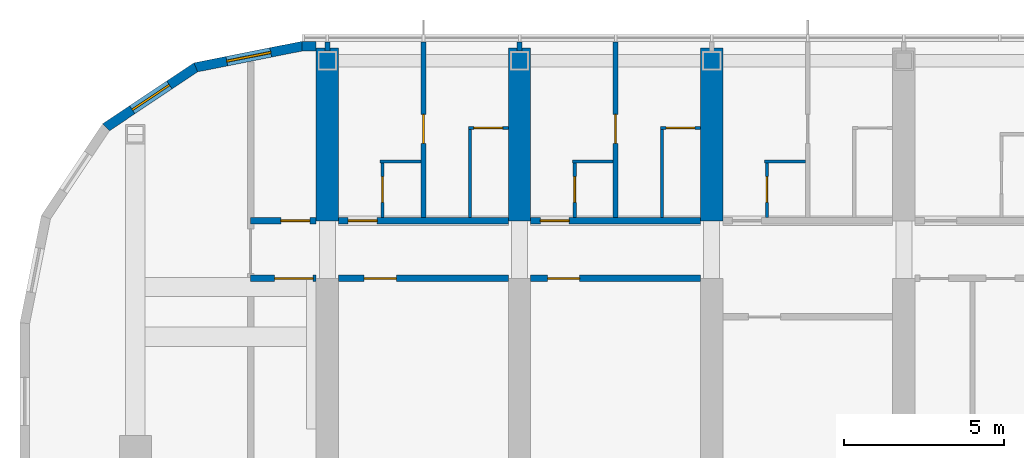
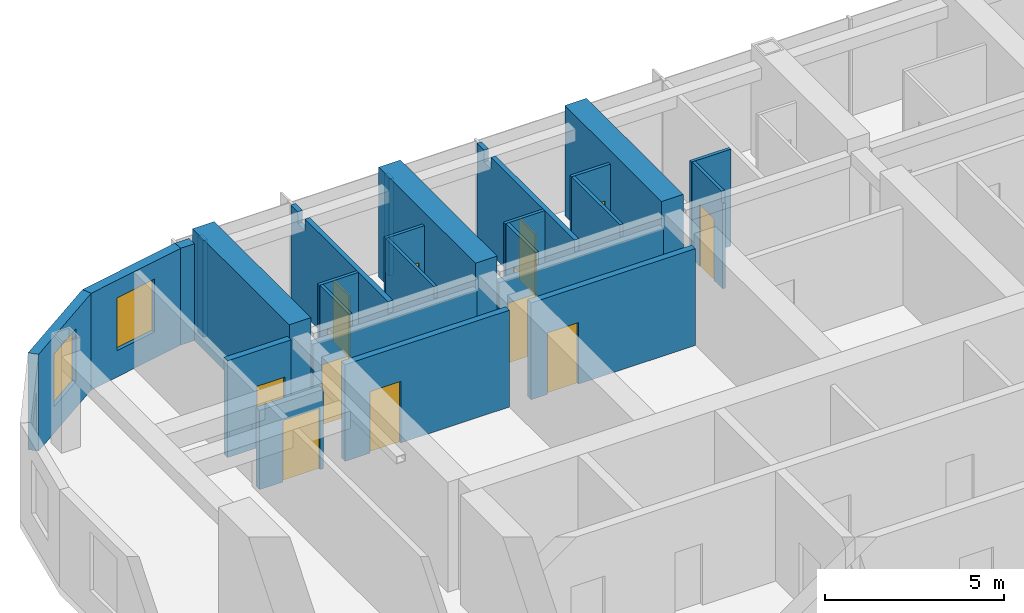
# One storey, part 16 of 24: 26 walls, 13 doors, 2 windows, 15 openings.
"""IFC4 building model written with IfcOpenShell, lengths in metres."""

from ifc_helpers import new_model, si_unit, direction, frame, frame_2d, origin, place, context, subcontext, project, spatial, polyline, rectangle, outline, extrude, material, layer, layer_set, type_object, element, fill, save


model = new_model("IFC4")

# Units and contexts
model_context = context("Model", 3, precision=1e-05, world=origin(), true_north=direction((0.0, 1.0)))
body_context = subcontext(model_context, "Body", "Model", "MODEL_VIEW")
ifc_project = project(units=[si_unit("LENGTHUNIT", "METRE"), si_unit("AREAUNIT", "SQUARE_METRE"), si_unit("VOLUMEUNIT", "CUBIC_METRE"), si_unit("PLANEANGLEUNIT", "RADIAN"), si_unit("MASSUNIT", "GRAM", prefix="KILO")], contexts=[model_context])

# Site, building, storey
site_placement = place(None, origin())
site = spatial("IfcSite", under=ifc_project, at=site_placement, CompositionType="ELEMENT")
building_placement = place(site_placement, origin())
building = spatial("IfcBuilding", under=site, at=building_placement, Name="Orbita Commons", CompositionType="ELEMENT")
storey_placement = place(building_placement, frame((0.0, 0.0, 242.800048828125)))
storey = spatial("IfcBuildingStorey", under=building, at=storey_placement, Name="L60", CompositionType="ELEMENT", Elevation=242.800048828125)

# Wall, opening, door
ifc_material_1 = material(Name="Concrete blockwork", Category="masonry")
ifc_layer_1 = layer(ifc_material_1, 0.199951171875)
ifc_layer_set_1 = layer_set([ifc_layer_1], Name="Concrete blockwork")
wall_type_1 = type_object("IfcWallType", Name="Corridor wall 200 blockwork", PredefinedType="SOLIDWALL", material=ifc_layer_set_1)
wall_1_placement = place(storey_placement, frame((15.60009765625, 47.39990234375, 0.0), z_axis=(0.0, 0.0, 1.0), x_axis=(1.0, 0.0, 0.0)))
wall_1 = element("IfcWall", 1, at=wall_1_placement, inside=storey, type_object=wall_type_1, Name="Corridor wall 200 blockwork L60", PredefinedType="SOLIDWALL", context=body_context, shape_type="SweptSolid", body=[
    extrude(rectangle(XDim=2.0498046875, YDim=0.199951171875, at=frame_2d((1.02490234375, 0.0))), origin(), (0.0, 0.0, 1.0), 3.300048828125),
])
opening_1_placement = place(wall_1_placement, frame((0.949951171875, 0.0, 0.0)))
opening_1 = element("IfcOpeningElement", 2, at=opening_1_placement, cuts=wall_1, Name="Opening D05", PredefinedType="OPENING", context=body_context, shape_type="SweptSolid", body=[
    extrude(rectangle(XDim=0.89990234375, YDim=2.10009765625, at=frame_2d((0.449951171875, 1.050048828125))), frame((0.0, 0.10986328125, 0.0), z_axis=(0.0, -1.0, 0.0), x_axis=(1.0, 0.0, 0.0)), (0.0, 0.0, 1.0), 0.219970703125),
])
ifc_material_2 = material(Name="Steel-faced fire door leaf", Category="steel")
door_type_1 = type_object("IfcDoorType", Name="Service door 20 min 900x2100", OperationType="SINGLE_SWING_LEFT", PredefinedType="DOOR", material=ifc_material_2)
door_1_placement = place(opening_1_placement, origin())
door_1 = element("IfcDoor", 3, at=door_1_placement, inside=storey, type_object=door_type_1, Name="Linen store L60-KWN door", OperationType="SINGLE_SWING_LEFT", OverallHeight=2.10009765625, OverallWidth=0.89990234375, PredefinedType="DOOR", context=body_context, shape_type="SweptSolid", body=[
    extrude(rectangle(XDim=0.89990234375, YDim=2.10009765625, at=frame_2d((0.449951171875, 1.050048828125))), frame((0.0, 0.02490234375, 0.0), z_axis=(0.0, -1.0, 0.0), x_axis=(1.0, 0.0, 0.0)), (0.0, 0.0, 1.0), 0.050048828125),
])
fill(opening_1, door_1)

wall_2_placement = place(storey_placement, frame((18.35009765625, 47.39990234375, 0.0), z_axis=(0.0, 0.0, 1.0), x_axis=(1.0, 0.0, 0.0)))
wall_2 = element("IfcWall", 4, at=wall_2_placement, inside=storey, type_object=wall_type_1, Name="Corridor wall 200 blockwork L60", PredefinedType="SOLIDWALL", context=body_context, shape_type="SweptSolid", body=[
    extrude(outline(polyline([(0.0, 0.0), (5.2998046875, 0.0), (5.300048828125, 2.89990234375), (0.0, 2.89990234375), (0.0, 0.0)])), frame((0.0, 0.10009765625, 0.0), z_axis=(0.0, -1.0, 0.0), x_axis=(1.0, 0.0, 0.0)), (0.0, 0.0, 1.0), 0.199951171875),
])
opening_2_placement = place(wall_2_placement, frame((0.300048828125, 0.0, 0.0)))
opening_2 = element("IfcOpeningElement", 5, at=opening_2_placement, cuts=wall_2, Name="Opening D11", PredefinedType="OPENING", context=body_context, shape_type="SweptSolid", body=[
    extrude(rectangle(XDim=0.89990234375, YDim=2.10009765625, at=frame_2d((0.449951171875, 1.050048828125))), frame((0.0, 0.10986328125, 0.0), z_axis=(0.0, -1.0, 0.0), x_axis=(1.0, 0.0, 0.0)), (0.0, 0.0, 1.0), 0.219970703125),
])
ifc_material_3 = material(Name="Steel-faced fire door leaf", Category="steel")
door_type_2 = type_object("IfcDoorType", Name="Corridor door 20 min 900x2100", OperationType="SINGLE_SWING_LEFT", PredefinedType="DOOR", material=ifc_material_3)
door_2_placement = place(opening_2_placement, origin())
door_2 = element("IfcDoor", 6, at=door_2_placement, inside=storey, type_object=door_type_2, Name="Guest suite sitting room and kitchenette L60-N00 entrance door", OperationType="SINGLE_SWING_LEFT", OverallHeight=2.10009765625, OverallWidth=0.89990234375, PredefinedType="DOOR", context=body_context, shape_type="SweptSolid", body=[
    extrude(rectangle(XDim=0.89990234375, YDim=2.10009765625, at=frame_2d((0.449951171875, 1.050048828125))), frame((0.0, 0.02490234375, 0.0), z_axis=(0.0, -1.0, 0.0), x_axis=(1.0, 0.0, 0.0)), (0.0, 0.0, 1.0), 0.050048828125),
])
fill(opening_2, door_2)

wall_3_placement = place(storey_placement, frame((24.35009765625, 47.39990234375, 0.0), z_axis=(0.0, 0.0, 1.0), x_axis=(1.0, 0.0, 0.0)))
wall_3 = element("IfcWall", 7, at=wall_3_placement, inside=storey, type_object=wall_type_1, Name="Corridor wall 200 blockwork L60", PredefinedType="SOLIDWALL", context=body_context, shape_type="SweptSolid", body=[
    extrude(outline(polyline([(0.0, 0.0), (5.2998046875, 0.0), (5.300048828125, 2.89990234375), (0.0, 2.89990234375), (0.0, 0.0)])), frame((0.0, 0.10009765625, 0.0), z_axis=(0.0, -1.0, 0.0), x_axis=(1.0, 0.0, 0.0)), (0.0, 0.0, 1.0), 0.199951171875),
])
opening_3_placement = place(wall_3_placement, frame((0.300048828125, 0.0, 0.0)))
opening_3 = element("IfcOpeningElement", 8, at=opening_3_placement, cuts=wall_3, Name="Opening D11", PredefinedType="OPENING", context=body_context, shape_type="SweptSolid", body=[
    extrude(rectangle(XDim=0.89990234375, YDim=2.10009765625, at=frame_2d((0.449951171875, 1.050048828125))), frame((0.0, 0.10986328125, 0.0), z_axis=(0.0, -1.0, 0.0), x_axis=(1.0, 0.0, 0.0)), (0.0, 0.0, 1.0), 0.219970703125),
])
door_3_placement = place(opening_3_placement, origin())
door_3 = element("IfcDoor", 9, at=door_3_placement, inside=storey, type_object=door_type_2, Name="Guest suite sitting room and kitchenette L60-N02 entrance door", OperationType="SINGLE_SWING_LEFT", OverallHeight=2.10009765625, OverallWidth=0.89990234375, PredefinedType="DOOR", context=body_context, shape_type="SweptSolid", body=[
    extrude(rectangle(XDim=0.89990234375, YDim=2.10009765625, at=frame_2d((0.449951171875, 1.050048828125))), frame((0.0, 0.02490234375, 0.0), z_axis=(0.0, -1.0, 0.0), x_axis=(1.0, 0.0, 0.0)), (0.0, 0.0, 1.0), 0.050048828125),
])
fill(opening_3, door_3)

ifc_material_4 = material(Name="Hollow concrete block 200", Category="concrete")
ifc_layer_2 = layer(ifc_material_4, 0.199951171875)
ifc_layer_set_2 = layer_set([ifc_layer_2], Name="Hollow concrete block 200")
wall_type_2 = type_object("IfcWallType", Name="Corridor wall 200 hollow concrete block", PredefinedType="SOLIDWALL", material=ifc_layer_set_2)
wall_4_placement = place(storey_placement, frame((15.60009765625, 45.60009765625, 0.0), z_axis=(0.0, 0.0, 1.0), x_axis=(1.0, 0.0, 0.0)))
wall_4 = element("IfcWall", 10, at=wall_4_placement, inside=storey, type_object=wall_type_2, Name="Corridor wall 200 hollow concrete block L60", PredefinedType="SOLIDWALL", context=body_context, shape_type="SweptSolid", body=[
    extrude(rectangle(XDim=2.0498046875, YDim=0.199951171875, at=frame_2d((1.02490234375, 0.0))), origin(), (0.0, 0.0, 1.0), 2.699951171875),
])
opening_4_placement = place(wall_4_placement, frame((0.75, 0.0, 0.0)))
opening_4 = element("IfcOpeningElement", 11, at=opening_4_placement, cuts=wall_4, Name="Opening D12", PredefinedType="OPENING", context=body_context, shape_type="SweptSolid", body=[
    extrude(rectangle(XDim=1.199951171875, YDim=2.10009765625, at=frame_2d((0.60009765625, 1.050048828125))), frame((0.0, 0.10986328125, 0.0), z_axis=(0.0, -1.0, 0.0), x_axis=(1.0, 0.0, 0.0)), (0.0, 0.0, 1.0), 0.219970703125),
])
ifc_material_5 = material(Name="Steel-faced fire door leaf", Category="steel")
door_type_3 = type_object("IfcDoorType", Name="Double corridor door 20 min 1200x2100", OperationType="DOUBLE_DOOR_SINGLE_SWING", PredefinedType="DOOR", material=ifc_material_5)
door_4_placement = place(opening_4_placement, origin())
door_4 = element("IfcDoor", 12, at=door_4_placement, inside=storey, type_object=door_type_3, Name="Cross corridor doors", OperationType="DOUBLE_DOOR_SINGLE_SWING", OverallHeight=2.10009765625, OverallWidth=1.199951171875, PredefinedType="DOOR", context=body_context, shape_type="SweptSolid", body=[
    extrude(rectangle(XDim=1.199951171875, YDim=2.10009765625, at=frame_2d((0.60009765625, 1.050048828125))), frame((0.0, 0.02490234375, 0.0), z_axis=(0.0, -1.0, 0.0), x_axis=(1.0, 0.0, 0.0)), (0.0, 0.0, 1.0), 0.050048828125),
])
fill(opening_4, door_4)

wall_5_placement = place(storey_placement, frame((18.35009765625, 45.60009765625, 0.0), z_axis=(0.0, 0.0, 1.0), x_axis=(1.0, 0.0, 0.0)))
wall_5 = element("IfcWall", 13, at=wall_5_placement, inside=storey, type_object=wall_type_2, Name="Corridor wall 200 hollow concrete block L60", PredefinedType="SOLIDWALL", context=body_context, shape_type="SweptSolid", body=[
    extrude(rectangle(XDim=5.2998046875, YDim=0.199951171875, at=frame_2d((2.64990234375, 0.0))), origin(), (0.0, 0.0, 1.0), 3.300048828125),
])
opening_5_placement = place(wall_5_placement, frame((0.800048828125, 0.0, 0.0)))
opening_5 = element("IfcOpeningElement", 14, at=opening_5_placement, cuts=wall_5, Name="Opening D06", PredefinedType="OPENING", context=body_context, shape_type="SweptSolid", body=[
    extrude(rectangle(XDim=1.0, YDim=2.10009765625, at=frame_2d((0.5, 1.050048828125))), frame((0.0, 0.10986328125, 0.0), z_axis=(0.0, -1.0, 0.0), x_axis=(1.0, 0.0, 0.0)), (0.0, 0.0, 1.0), 0.219970703125),
])
ifc_material_6 = material(Name="Steel-faced fire door leaf", Category="steel")
door_type_4 = type_object("IfcDoorType", Name="Corridor door 20 min 1000x2100", OperationType="SINGLE_SWING_LEFT", PredefinedType="DOOR", material=ifc_material_6)
door_5_placement = place(opening_5_placement, origin())
door_5 = element("IfcDoor", 15, at=door_5_placement, inside=storey, type_object=door_type_4, Name="Refuse and recycling room L60-BDN18 door", OperationType="SINGLE_SWING_LEFT", OverallHeight=2.10009765625, OverallWidth=1.0, PredefinedType="DOOR", context=body_context, shape_type="SweptSolid", body=[
    extrude(rectangle(XDim=1.0, YDim=2.10009765625, at=frame_2d((0.5, 1.050048828125))), frame((0.0, 0.02490234375, 0.0), z_axis=(0.0, -1.0, 0.0), x_axis=(1.0, 0.0, 0.0)), (0.0, 0.0, 1.0), 0.050048828125),
])
fill(opening_5, door_5)

wall_6_placement = place(storey_placement, frame((24.35009765625, 45.60009765625, 0.0), z_axis=(0.0, 0.0, 1.0), x_axis=(1.0, 0.0, 0.0)))
wall_6 = element("IfcWall", 16, at=wall_6_placement, inside=storey, type_object=wall_type_2, Name="Corridor wall 200 hollow concrete block L60", PredefinedType="SOLIDWALL", context=body_context, shape_type="SweptSolid", body=[
    extrude(rectangle(XDim=5.2998046875, YDim=0.199951171875, at=frame_2d((2.64990234375, 0.0))), origin(), (0.0, 0.0, 1.0), 3.300048828125),
])
opening_6_placement = place(wall_6_placement, frame((0.52490234375, 0.0, 0.0)))
opening_6 = element("IfcOpeningElement", 17, at=opening_6_placement, cuts=wall_6, Name="Opening D06", PredefinedType="OPENING", context=body_context, shape_type="SweptSolid", body=[
    extrude(rectangle(XDim=1.0, YDim=2.10009765625, at=frame_2d((0.5, 1.050048828125))), frame((0.0, 0.10986328125, 0.0), z_axis=(0.0, -1.0, 0.0), x_axis=(1.0, 0.0, 0.0)), (0.0, 0.0, 1.0), 0.219970703125),
])
door_6_placement = place(opening_6_placement, origin())
door_6 = element("IfcDoor", 18, at=door_6_placement, inside=storey, type_object=door_type_4, Name="Bulk storage room L60-BDN24 door", OperationType="SINGLE_SWING_LEFT", OverallHeight=2.10009765625, OverallWidth=1.0, PredefinedType="DOOR", context=body_context, shape_type="SweptSolid", body=[
    extrude(rectangle(XDim=1.0, YDim=2.10009765625, at=frame_2d((0.5, 1.050048828125))), frame((0.0, 0.02490234375, 0.0), z_axis=(0.0, -1.0, 0.0), x_axis=(1.0, 0.0, 0.0)), (0.0, 0.0, 1.0), 0.050048828125),
])
fill(opening_6, door_6)

# Walls
ifc_material_7 = material(Name="Concrete C50/60", Category="concrete")
ifc_layer_3 = layer(ifc_material_7, 0.699951171875)
ifc_layer_set_3 = layer_set([ifc_layer_3], Name="Concrete C50/60")
wall_type_3 = type_object("IfcWallType", Name="Cross wall 700 C50/60", PredefinedType="SHEAR", material=ifc_layer_set_3)
for number, where, z_axis, x_axis, name in (
    (19, (18.0, 47.39990234375, 0.0), (0.0, 0.0, 1.0), (0.0, 1.0, 0.0), "Cross wall 4 north outer L60"),
    (20, (24.0, 47.39990234375, 0.0), (0.0, 0.0, 1.0), (0.0, 1.0, 0.0), "Cross wall 5 north outer L60"),
    (21, (30.0, 47.39990234375, 0.0), (0.0, 0.0, 1.0), (0.0, 1.0, 0.0), "Cross wall 6 north outer L60"),
):
    element("IfcWall", number, at=place(storey_placement, frame(where, z_axis=z_axis, x_axis=x_axis)), inside=storey, type_object=wall_type_3, Name=name, PredefinedType="SHEAR", context=body_context, shape_type="SweptSolid", body=[
        extrude(rectangle(XDim=5.400146484375, YDim=0.699951171875, at=frame_2d((2.7001953125, 0.0))), origin(), (0.0, 0.0, 1.0), 3.75),
    ])

# Wall, opening, door
ifc_material_8 = material(Name="Moisture-resistant plasterboard on steel studs", Category="steel")
ifc_layer_4 = layer(ifc_material_8, 0.10009765625)
ifc_layer_set_4 = layer_set([ifc_layer_4], Name="Moisture-resistant plasterboard on steel studs")
wall_type_4 = type_object("IfcWallType", Name="En-suite partition 100", PredefinedType="PARTITIONING", material=ifc_layer_set_4)
wall_7_placement = place(storey_placement, frame((22.39990234375, 50.300048828125, 0.0), z_axis=(0.0, 0.0, 1.0), x_axis=(1.0, 0.0, 0.0)))
wall_7 = element("IfcWall", 22, at=wall_7_placement, inside=storey, type_object=wall_type_4, Name="En-suite partition 100 L60", PredefinedType="PARTITIONING", context=body_context, shape_type="SweptSolid", body=[
    extrude(rectangle(XDim=1.25, YDim=0.10009765625, at=frame_2d((0.625, 0.0))), origin(), (0.0, 0.0, 1.0), 3.300048828125),
])
opening_7_placement = place(wall_7_placement, frame((0.175048828125, 0.0, 0.0)))
opening_7 = element("IfcOpeningElement", 23, at=opening_7_placement, cuts=wall_7, Name="Opening D09", PredefinedType="OPENING", context=body_context, shape_type="SweptSolid", body=[
    extrude(rectangle(XDim=0.89990234375, YDim=2.10009765625, at=frame_2d((0.449951171875, 1.050048828125))), frame((0.0, 0.06005859375, 0.0), z_axis=(0.0, -1.0, 0.0), x_axis=(1.0, 0.0, 0.0)), (0.0, 0.0, 1.0), 0.1201171875),
])
ifc_material_9 = material(Name="Laminated timber door leaf", Category="wood")
door_type_5 = type_object("IfcDoorType", Name="En-suite door 900x2100", OperationType="SINGLE_SWING_RIGHT", PredefinedType="DOOR", material=ifc_material_9)
door_7_placement = place(opening_7_placement, origin())
door_7 = element("IfcDoor", 24, at=door_7_placement, inside=storey, type_object=door_type_5, Name="En-suite L60-N01 door", OperationType="SINGLE_SWING_RIGHT", OverallHeight=2.10009765625, OverallWidth=0.89990234375, PredefinedType="DOOR", context=body_context, shape_type="SweptSolid", body=[
    extrude(rectangle(XDim=0.89990234375, YDim=2.10009765625, at=frame_2d((0.449951171875, 1.050048828125))), frame((0.0, 0.02490234375, 0.0), z_axis=(0.0, -1.0, 0.0), x_axis=(1.0, 0.0, 0.0)), (0.0, 0.0, 1.0), 0.050048828125),
])
fill(opening_7, door_7)

# Walls
wall_8_placement = place(storey_placement, frame((22.449951171875, 50.25, 0.0), z_axis=(0.0, 0.0, 1.0), x_axis=(0.0, -1.0, 0.0)))
element("IfcWall", 25, at=wall_8_placement, inside=storey, type_object=wall_type_4, Name="En-suite partition 100 L60", PredefinedType="PARTITIONING", context=body_context, shape_type="SweptSolid", body=[
    extrude(outline(polyline([(0.0, 0.0), (2.75, 0.0), (2.75, 2.89990234375), (2.701904296875, 2.89990234375), (2.699951171875, 3.300048828125), (0.0, 3.300048828125), (0.0, 0.0)])), frame((0.0, 0.050048828125, 0.0), z_axis=(0.0, -1.0, 0.0), x_axis=(1.0, 0.0, 0.0)), (0.0, 0.0, 1.0), 0.10009765625),
])
wall_9_placement = place(storey_placement, frame((19.64990234375, 49.25, 0.0), z_axis=(0.0, 0.0, 1.0), x_axis=(1.0, 0.0, 0.0)))
element("IfcWall", 26, at=wall_9_placement, inside=storey, type_object=wall_type_4, Name="En-suite partition 100 L60", PredefinedType="PARTITIONING", context=body_context, shape_type="SweptSolid", body=[
    extrude(rectangle(XDim=1.275146484375, YDim=0.10009765625, at=frame_2d((0.6376953125, 0.0))), origin(), (0.0, 0.0, 1.0), 3.300048828125),
])

# Wall, opening, door
wall_10_placement = place(storey_placement, frame((19.72509765625, 49.25, 0.0), z_axis=(0.0, 0.0, 1.0), x_axis=(0.0, -1.0, 0.0)))
wall_10 = element("IfcWall", 27, at=wall_10_placement, inside=storey, type_object=wall_type_4, Name="En-suite partition 100 L60", PredefinedType="PARTITIONING", context=body_context, shape_type="SweptSolid", body=[
    extrude(outline(polyline([(0.0, 0.0), (1.75, 0.0), (1.75, 2.89990234375), (1.701904296875, 2.89990234375), (1.699951171875, 3.300048828125), (0.0, 3.300048828125), (0.0, 0.0)])), frame((0.0, 0.050048828125, 0.0), z_axis=(0.0, -1.0, 0.0), x_axis=(1.0, 0.0, 0.0)), (0.0, 0.0, 1.0), 0.10009765625),
])
opening_8_placement = place(wall_10_placement, frame((0.47509765625, 0.0, 0.0)))
opening_8 = element("IfcOpeningElement", 28, at=opening_8_placement, cuts=wall_10, Name="Opening D16", PredefinedType="OPENING", context=body_context, shape_type="SweptSolid", body=[
    extrude(rectangle(XDim=0.800048828125, YDim=2.10009765625, at=frame_2d((0.39990234375, 1.050048828125))), frame((0.0, 0.06005859375, 0.0), z_axis=(0.0, -1.0, 0.0), x_axis=(1.0, 0.0, 0.0)), (0.0, 0.0, 1.0), 0.1201171875),
])
ifc_material_10 = material(Name="Laminated timber door leaf", Category="wood")
door_type_6 = type_object("IfcDoorType", Name="En-suite door 800x2100", OperationType="SINGLE_SWING_RIGHT", PredefinedType="DOOR", material=ifc_material_10)
door_8_placement = place(opening_8_placement, origin())
door_8 = element("IfcDoor", 29, at=door_8_placement, inside=storey, type_object=door_type_6, Name="Guest suite WC L60-N00 door", OperationType="SINGLE_SWING_RIGHT", OverallHeight=2.10009765625, OverallWidth=0.800048828125, PredefinedType="DOOR", context=body_context, shape_type="SweptSolid", body=[
    extrude(rectangle(XDim=0.800048828125, YDim=2.10009765625, at=frame_2d((0.39990234375, 1.050048828125))), frame((0.0, 0.02490234375, 0.0), z_axis=(0.0, -1.0, 0.0), x_axis=(1.0, 0.0, 0.0)), (0.0, 0.0, 1.0), 0.050048828125),
])
fill(opening_8, door_8)

wall_11_placement = place(storey_placement, frame((28.39990234375, 50.300048828125, 0.0), z_axis=(0.0, 0.0, 1.0), x_axis=(1.0, 0.0, 0.0)))
wall_11 = element("IfcWall", 30, at=wall_11_placement, inside=storey, type_object=wall_type_4, Name="En-suite partition 100 L60", PredefinedType="PARTITIONING", context=body_context, shape_type="SweptSolid", body=[
    extrude(rectangle(XDim=1.25, YDim=0.10009765625, at=frame_2d((0.625, 0.0))), origin(), (0.0, 0.0, 1.0), 3.300048828125),
])
opening_9_placement = place(wall_11_placement, frame((0.175048828125, 0.0, 0.0)))
opening_9 = element("IfcOpeningElement", 31, at=opening_9_placement, cuts=wall_11, Name="Opening D09", PredefinedType="OPENING", context=body_context, shape_type="SweptSolid", body=[
    extrude(rectangle(XDim=0.89990234375, YDim=2.10009765625, at=frame_2d((0.449951171875, 1.050048828125))), frame((0.0, 0.06005859375, 0.0), z_axis=(0.0, -1.0, 0.0), x_axis=(1.0, 0.0, 0.0)), (0.0, 0.0, 1.0), 0.1201171875),
])
door_9_placement = place(opening_9_placement, origin())
door_9 = element("IfcDoor", 32, at=door_9_placement, inside=storey, type_object=door_type_5, Name="En-suite L60-N03 door", OperationType="SINGLE_SWING_RIGHT", OverallHeight=2.10009765625, OverallWidth=0.89990234375, PredefinedType="DOOR", context=body_context, shape_type="SweptSolid", body=[
    extrude(rectangle(XDim=0.89990234375, YDim=2.10009765625, at=frame_2d((0.449951171875, 1.050048828125))), frame((0.0, 0.02490234375, 0.0), z_axis=(0.0, -1.0, 0.0), x_axis=(1.0, 0.0, 0.0)), (0.0, 0.0, 1.0), 0.050048828125),
])
fill(opening_9, door_9)

# Walls
wall_12_placement = place(storey_placement, frame((28.449951171875, 50.25, 0.0), z_axis=(0.0, 0.0, 1.0), x_axis=(0.0, -1.0, 0.0)))
element("IfcWall", 33, at=wall_12_placement, inside=storey, type_object=wall_type_4, Name="En-suite partition 100 L60", PredefinedType="PARTITIONING", context=body_context, shape_type="SweptSolid", body=[
    extrude(outline(polyline([(0.0, 0.0), (2.75, 0.0), (2.75, 2.89990234375), (2.701904296875, 2.89990234375), (2.699951171875, 3.300048828125), (0.0, 3.300048828125), (0.0, 0.0)])), frame((0.0, 0.050048828125, 0.0), z_axis=(0.0, -1.0, 0.0), x_axis=(1.0, 0.0, 0.0)), (0.0, 0.0, 1.0), 0.10009765625),
])
wall_13_placement = place(storey_placement, frame((25.64990234375, 49.25, 0.0), z_axis=(0.0, 0.0, 1.0), x_axis=(1.0, 0.0, 0.0)))
element("IfcWall", 34, at=wall_13_placement, inside=storey, type_object=wall_type_4, Name="En-suite partition 100 L60", PredefinedType="PARTITIONING", context=body_context, shape_type="SweptSolid", body=[
    extrude(rectangle(XDim=1.275146484375, YDim=0.10009765625, at=frame_2d((0.6376953125, 0.0))), origin(), (0.0, 0.0, 1.0), 3.300048828125),
])

# Wall, opening, door
wall_14_placement = place(storey_placement, frame((25.72509765625, 49.25, 0.0), z_axis=(0.0, 0.0, 1.0), x_axis=(0.0, -1.0, 0.0)))
wall_14 = element("IfcWall", 35, at=wall_14_placement, inside=storey, type_object=wall_type_4, Name="En-suite partition 100 L60", PredefinedType="PARTITIONING", context=body_context, shape_type="SweptSolid", body=[
    extrude(outline(polyline([(0.0, 0.0), (1.75, 0.0), (1.75, 2.89990234375), (1.701904296875, 2.89990234375), (1.699951171875, 3.300048828125), (0.0, 3.300048828125), (0.0, 0.0)])), frame((0.0, 0.050048828125, 0.0), z_axis=(0.0, -1.0, 0.0), x_axis=(1.0, 0.0, 0.0)), (0.0, 0.0, 1.0), 0.10009765625),
])
opening_10_placement = place(wall_14_placement, frame((0.47509765625, 0.0, 0.0)))
opening_10 = element("IfcOpeningElement", 36, at=opening_10_placement, cuts=wall_14, Name="Opening D16", PredefinedType="OPENING", context=body_context, shape_type="SweptSolid", body=[
    extrude(rectangle(XDim=0.800048828125, YDim=2.10009765625, at=frame_2d((0.39990234375, 1.050048828125))), frame((0.0, 0.06005859375, 0.0), z_axis=(0.0, -1.0, 0.0), x_axis=(1.0, 0.0, 0.0)), (0.0, 0.0, 1.0), 0.1201171875),
])
door_10_placement = place(opening_10_placement, origin())
door_10 = element("IfcDoor", 37, at=door_10_placement, inside=storey, type_object=door_type_6, Name="Guest suite WC L60-N02 door", OperationType="SINGLE_SWING_RIGHT", OverallHeight=2.10009765625, OverallWidth=0.800048828125, PredefinedType="DOOR", context=body_context, shape_type="SweptSolid", body=[
    extrude(rectangle(XDim=0.800048828125, YDim=2.10009765625, at=frame_2d((0.39990234375, 1.050048828125))), frame((0.0, 0.02490234375, 0.0), z_axis=(0.0, -1.0, 0.0), x_axis=(1.0, 0.0, 0.0)), (0.0, 0.0, 1.0), 0.050048828125),
])
fill(opening_10, door_10)

# Wall
wall_15_placement = place(storey_placement, frame((31.64990234375, 49.25, 0.0), z_axis=(0.0, 0.0, 1.0), x_axis=(1.0, 0.0, 0.0)))
element("IfcWall", 38, at=wall_15_placement, inside=storey, type_object=wall_type_4, Name="En-suite partition 100 L60", PredefinedType="PARTITIONING", context=body_context, shape_type="SweptSolid", body=[
    extrude(rectangle(XDim=1.275146484375, YDim=0.10009765625, at=frame_2d((0.6376953125, 0.0))), origin(), (0.0, 0.0, 1.0), 3.300048828125),
])

# Wall, opening, door
wall_16_placement = place(storey_placement, frame((31.72509765625, 49.25, 0.0), z_axis=(0.0, 0.0, 1.0), x_axis=(0.0, -1.0, 0.0)))
wall_16 = element("IfcWall", 39, at=wall_16_placement, inside=storey, type_object=wall_type_4, Name="En-suite partition 100 L60", PredefinedType="PARTITIONING", context=body_context, shape_type="SweptSolid", body=[
    extrude(outline(polyline([(0.0, 0.0), (1.75, 0.0), (1.75, 2.89990234375), (1.701904296875, 2.89990234375), (1.699951171875, 3.300048828125), (0.0, 3.300048828125), (0.0, 0.0)])), frame((0.0, 0.050048828125, 0.0), z_axis=(0.0, -1.0, 0.0), x_axis=(1.0, 0.0, 0.0)), (0.0, 0.0, 1.0), 0.10009765625),
])
opening_11_placement = place(wall_16_placement, frame((0.47509765625, 0.0, 0.0)))
opening_11 = element("IfcOpeningElement", 40, at=opening_11_placement, cuts=wall_16, Name="Opening D16", PredefinedType="OPENING", context=body_context, shape_type="SweptSolid", body=[
    extrude(rectangle(XDim=0.800048828125, YDim=2.10009765625, at=frame_2d((0.39990234375, 1.050048828125))), frame((0.0, 0.06005859375, 0.0), z_axis=(0.0, -1.0, 0.0), x_axis=(1.0, 0.0, 0.0)), (0.0, 0.0, 1.0), 0.1201171875),
])
door_11_placement = place(opening_11_placement, origin())
door_11 = element("IfcDoor", 41, at=door_11_placement, inside=storey, type_object=door_type_6, Name="Guest suite WC L60-N04 door", OperationType="SINGLE_SWING_RIGHT", OverallHeight=2.10009765625, OverallWidth=0.800048828125, PredefinedType="DOOR", context=body_context, shape_type="SweptSolid", body=[
    extrude(rectangle(XDim=0.800048828125, YDim=2.10009765625, at=frame_2d((0.39990234375, 1.050048828125))), frame((0.0, 0.02490234375, 0.0), z_axis=(0.0, -1.0, 0.0), x_axis=(1.0, 0.0, 0.0)), (0.0, 0.0, 1.0), 0.050048828125),
])
fill(opening_11, door_11)

ifc_material_11 = material(Name="Gypsum plasterboard on steel studs", Category="steel")
ifc_layer_5 = layer(ifc_material_11, 0.14990234375)
ifc_layer_set_5 = layer_set([ifc_layer_5], Name="Gypsum plasterboard on steel studs")
wall_type_5 = type_object("IfcWallType", Name="Partition 150 plasterboard", PredefinedType="PARTITIONING", material=ifc_layer_set_5)
wall_17_placement = place(storey_placement, frame((21.0, 52.989990234375, 0.0), z_axis=(0.0, 0.0, 1.0), x_axis=(0.0, -1.0, 0.0)))
wall_17 = element("IfcWall", 42, at=wall_17_placement, inside=storey, type_object=wall_type_5, Name="Partition 150 plasterboard L60", PredefinedType="PARTITIONING", context=body_context, shape_type="SweptSolid", body=[
    extrude(outline(polyline([(0.0, 0.0), (5.489990234375, 0.0), (5.489990234375, 2.89990234375), (5.44189453125, 2.89990234375), (5.43994140625, 3.300048828125), (0.7919921875, 3.300048828125), (0.7900390625, 2.89990234375), (0.39208984375, 2.89990234375), (0.389892578125, 3.300048828125), (0.0, 3.300048828125), (0.0, 0.0)])), frame((0.0, 0.074951171875, 0.0), z_axis=(0.0, -1.0, 0.0), x_axis=(1.0, 0.0, 0.0)), (0.0, 0.0, 1.0), 0.14990234375),
])
opening_12_placement = place(wall_17_placement, frame((2.27001953125, 0.0, 0.0)))
opening_12 = element("IfcOpeningElement", 43, at=opening_12_placement, cuts=wall_17, Name="Opening D09", PredefinedType="OPENING", context=body_context, shape_type="SweptSolid", body=[
    extrude(rectangle(XDim=0.89990234375, YDim=2.10009765625, at=frame_2d((0.449951171875, 1.050048828125))), frame((0.0, 0.0849609375, 0.0), z_axis=(0.0, -1.0, 0.0), x_axis=(1.0, 0.0, 0.0)), (0.0, 0.0, 1.0), 0.169921875),
])
door_12_placement = place(opening_12_placement, origin())
door_12 = element("IfcDoor", 44, at=door_12_placement, inside=storey, type_object=door_type_5, Name="Guest suite bedroom L60-N00 door", OperationType="SINGLE_SWING_RIGHT", OverallHeight=2.10009765625, OverallWidth=0.89990234375, PredefinedType="DOOR", context=body_context, shape_type="SweptSolid", body=[
    extrude(rectangle(XDim=0.89990234375, YDim=2.10009765625, at=frame_2d((0.449951171875, 1.050048828125))), frame((0.0, 0.02490234375, 0.0), z_axis=(0.0, -1.0, 0.0), x_axis=(1.0, 0.0, 0.0)), (0.0, 0.0, 1.0), 0.050048828125),
])
fill(opening_12, door_12)

wall_18_placement = place(storey_placement, frame((27.0, 52.989990234375, 0.0), z_axis=(0.0, 0.0, 1.0), x_axis=(0.0, -1.0, 0.0)))
wall_18 = element("IfcWall", 45, at=wall_18_placement, inside=storey, type_object=wall_type_5, Name="Partition 150 plasterboard L60", PredefinedType="PARTITIONING", context=body_context, shape_type="SweptSolid", body=[
    extrude(outline(polyline([(0.0, 0.0), (5.489990234375, 0.0), (5.489990234375, 2.89990234375), (5.44189453125, 2.89990234375), (5.43994140625, 3.300048828125), (0.7919921875, 3.300048828125), (0.7900390625, 2.89990234375), (0.39208984375, 2.89990234375), (0.389892578125, 3.300048828125), (0.0, 3.300048828125), (0.0, 0.0)])), frame((0.0, 0.074951171875, 0.0), z_axis=(0.0, -1.0, 0.0), x_axis=(1.0, 0.0, 0.0)), (0.0, 0.0, 1.0), 0.14990234375),
])
opening_13_placement = place(wall_18_placement, frame((2.27001953125, 0.0, 0.0)))
opening_13 = element("IfcOpeningElement", 46, at=opening_13_placement, cuts=wall_18, Name="Opening D09", PredefinedType="OPENING", context=body_context, shape_type="SweptSolid", body=[
    extrude(rectangle(XDim=0.89990234375, YDim=2.10009765625, at=frame_2d((0.449951171875, 1.050048828125))), frame((0.0, 0.0849609375, 0.0), z_axis=(0.0, -1.0, 0.0), x_axis=(1.0, 0.0, 0.0)), (0.0, 0.0, 1.0), 0.169921875),
])
door_13_placement = place(opening_13_placement, origin())
door_13 = element("IfcDoor", 47, at=door_13_placement, inside=storey, type_object=door_type_5, Name="Guest suite bedroom L60-N02 door", OperationType="SINGLE_SWING_RIGHT", OverallHeight=2.10009765625, OverallWidth=0.89990234375, PredefinedType="DOOR", context=body_context, shape_type="SweptSolid", body=[
    extrude(rectangle(XDim=0.89990234375, YDim=2.10009765625, at=frame_2d((0.449951171875, 1.050048828125))), frame((0.0, 0.02490234375, 0.0), z_axis=(0.0, -1.0, 0.0), x_axis=(1.0, 0.0, 0.0)), (0.0, 0.0, 1.0), 0.050048828125),
])
fill(opening_13, door_13)

# Walls
for number, where, z_axis, x_axis, name in (
    (48, (18.0, 52.699951171875, 0.0), (0.0, 0.0, 1.0), (0.0, 1.0, 0.0), "Partition 150 plasterboard L60"),
    (49, (24.0, 52.699951171875, 0.0), (0.0, 0.0, 1.0), (0.0, 1.0, 0.0), "Partition 150 plasterboard L60"),
):
    element("IfcWall", number, at=place(storey_placement, frame(where, z_axis=z_axis, x_axis=x_axis)), inside=storey, type_object=wall_type_5, Name=name, PredefinedType="PARTITIONING", context=body_context, shape_type="SweptSolid", body=[
        extrude(rectangle(XDim=0.2900390625, YDim=0.14990234375, at=frame_2d((0.14501953125, 0.0))), origin(), (0.0, 0.0, 1.0), 3.300048828125),
    ])

# Wall, opening, window
ifc_material_12 = material(Name="Precast concrete C40/50, white board-marked finish", Category="concrete")
ifc_layer_6 = layer(ifc_material_12, 0.300048828125)
ifc_layer_set_6 = layer_set([ifc_layer_6], Name="Precast concrete C40/50, white board-marked finish")
wall_type_6 = type_object("IfcWallType", Name="Precast concrete end shield 300", PredefinedType="SOLIDWALL", material=ifc_layer_set_6)
wall_19_placement = place(storey_placement, frame((17.199951171875, 52.85009765625, 0.0), z_axis=(0.0, 0.0, 1.0), x_axis=(-0.98078325777, -0.195100490205, 0.0)))
wall_19 = element("IfcWall", 50, at=wall_19_placement, inside=storey, type_object=wall_type_6, Name="End shield NW chord 1 L60", PredefinedType="SOLIDWALL", context=body_context, shape_type="SweptSolid", body=[
    extrude(outline(polyline([(-0.02978515625, -0.14990234375), (3.40478515625, -0.14990234375), (3.34521484375, 0.14990234375), (0.02978515625, 0.14990234375), (-0.02978515625, -0.14990234375)])), origin(), (0.0, 0.0, 1.0), 3.300048828125),
])
opening_14_placement = place(wall_19_placement, frame((0.987548828125, 0.0, 0.89990234375)))
opening_14 = element("IfcOpeningElement", 51, at=opening_14_placement, cuts=wall_19, Name="Opening W02", PredefinedType="OPENING", context=body_context, shape_type="SweptSolid", body=[
    extrude(rectangle(XDim=1.39990234375, YDim=1.800048828125, at=frame_2d((0.699951171875, 0.89990234375))), frame((0.0, 0.159912109375, 0.0), z_axis=(0.0, -1.0, 0.0), x_axis=(1.0, 0.0, 0.0)), (0.0, 0.0, 1.0), 0.320068359375),
])
ifc_material_13 = material(Name="Aluminium frame, clear double glazing", Category="aluminium")
window_type = type_object("IfcWindowType", Name="Deep-set window 1400x1800", PartitioningType="SINGLE_PANEL", PredefinedType="WINDOW", material=ifc_material_13)
window_1_placement = place(opening_14_placement, origin())
window_1 = element("IfcWindow", 52, at=window_1_placement, inside=storey, type_object=window_type, Name="Window L60-NW0", OverallHeight=1.800048828125, OverallWidth=1.39990234375, PartitioningType="SINGLE_PANEL", PredefinedType="WINDOW", context=body_context, shape_type="SweptSolid", body=[
    extrude(rectangle(XDim=1.39990234375, YDim=1.800048828125, at=frame_2d((0.699951171875, 0.89990234375))), frame((0.0, 0.030029296875, 0.0), z_axis=(0.0, -1.0, 0.0), x_axis=(1.0, 0.0, 0.0)), (0.0, 0.0, 1.0), 0.06005859375),
])
fill(opening_14, window_1)

wall_20_placement = place(storey_placement, frame((13.889892578125, 52.191650390625, 0.0), z_axis=(0.0, 0.0, 1.0), x_axis=(-0.831460037396, -0.555584562613, 0.0)))
wall_20 = element("IfcWall", 53, at=wall_20_placement, inside=storey, type_object=wall_type_6, Name="End shield NW chord 2 L60", PredefinedType="SOLIDWALL", context=body_context, shape_type="SweptSolid", body=[
    extrude(outline(polyline([(-0.02978515625, -0.14990234375), (3.405029296875, -0.14990234375), (3.345458984375, 0.14990234375), (0.02978515625, 0.14990234375), (-0.02978515625, -0.14990234375)])), origin(), (0.0, 0.0, 1.0), 3.300048828125),
])
opening_15_placement = place(wall_20_placement, frame((0.987548828125, 0.0, 0.89990234375)))
opening_15 = element("IfcOpeningElement", 54, at=opening_15_placement, cuts=wall_20, Name="Opening W02", PredefinedType="OPENING", context=body_context, shape_type="SweptSolid", body=[
    extrude(rectangle(XDim=1.39990234375, YDim=1.800048828125, at=frame_2d((0.699951171875, 0.89990234375))), frame((0.0, 0.159912109375, 0.0), z_axis=(0.0, -1.0, 0.0), x_axis=(1.0, 0.0, 0.0)), (0.0, 0.0, 1.0), 0.320068359375),
])
window_2_placement = place(opening_15_placement, origin())
window_2 = element("IfcWindow", 55, at=window_2_placement, inside=storey, type_object=window_type, Name="Window L60-NW1", OverallHeight=1.800048828125, OverallWidth=1.39990234375, PartitioningType="SINGLE_PANEL", PredefinedType="WINDOW", context=body_context, shape_type="SweptSolid", body=[
    extrude(rectangle(XDim=1.39990234375, YDim=1.800048828125, at=frame_2d((0.699951171875, 0.89990234375))), frame((0.0, 0.030029296875, 0.0), z_axis=(0.0, -1.0, 0.0), x_axis=(1.0, 0.0, 0.0)), (0.0, 0.0, 1.0), 0.06005859375),
])
fill(opening_15, window_2)

# Wall
wall_21_placement = place(storey_placement, frame((17.199951171875, 52.85009765625, 0.0), z_axis=(0.0, 0.0, 1.0), x_axis=(1.0, 0.0, 0.0)))
element("IfcWall", 56, at=wall_21_placement, inside=storey, type_object=wall_type_6, Name="End shield NW closer L60", PredefinedType="SOLIDWALL", context=body_context, shape_type="SweptSolid", body=[
    extrude(rectangle(XDim=0.449951171875, YDim=0.300048828125, at=frame_2d((0.22509765625, 0.0))), origin(), (0.0, 0.0, 1.0), 3.300048828125),
])

save(model, "model.ifc")
